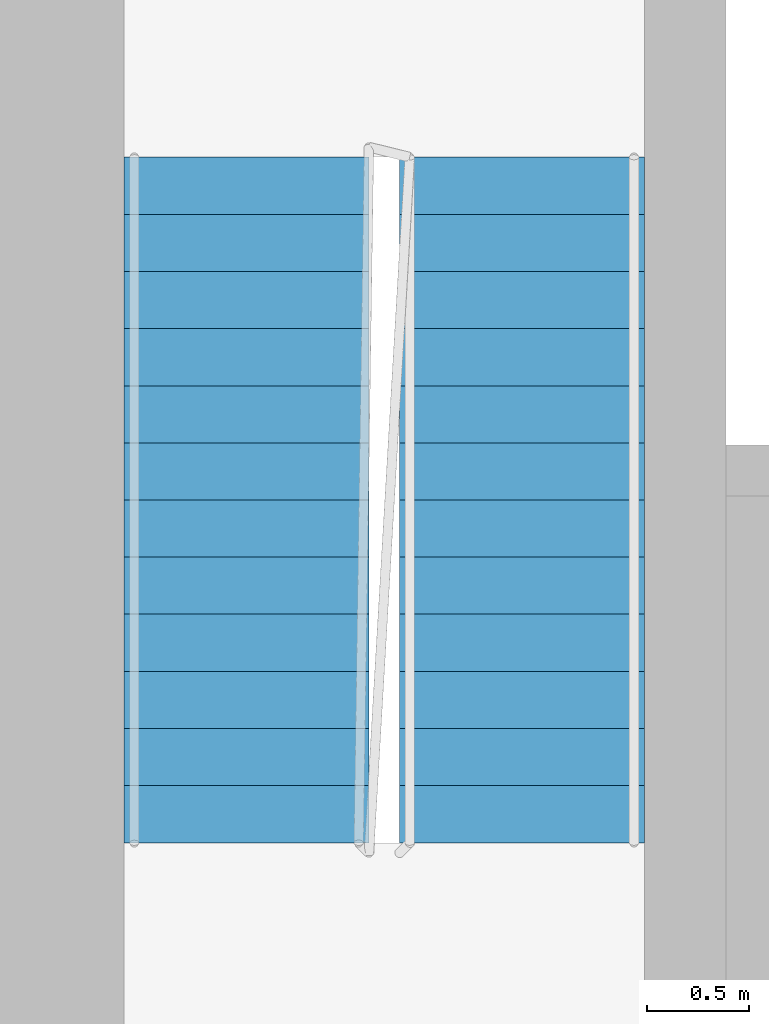
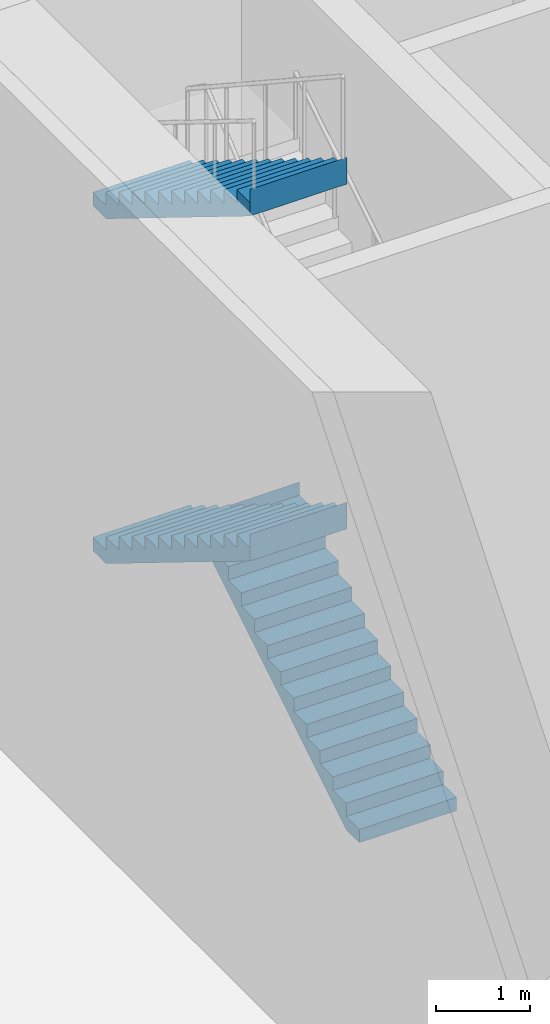
# One storey, part 17 of 24: 3 stair flights, 1 element without a shape of its own.
"""IFC4 building model written with IfcOpenShell, lengths in metres."""

from ifc_helpers import new_model, si_unit, direction, frame, origin, place, context, subcontext, project, spatial, faceted_brep, material, type_object, element, aggregate, save


model = new_model("IFC4")

# Units and contexts
model_context = context("Model", 3, precision=1e-05, world=origin(), true_north=direction((0.0, 1.0)))
body_context = subcontext(model_context, "Body", "Model", "MODEL_VIEW")
ifc_project = project(units=[si_unit("LENGTHUNIT", "METRE"), si_unit("AREAUNIT", "SQUARE_METRE"), si_unit("VOLUMEUNIT", "CUBIC_METRE"), si_unit("PLANEANGLEUNIT", "RADIAN"), si_unit("MASSUNIT", "GRAM", prefix="KILO")], contexts=[model_context])

# Site, building, storey
site_placement = place(None, origin())
site = spatial("IfcSite", under=ifc_project, at=site_placement, CompositionType="ELEMENT")
building_placement = place(site_placement, origin())
building = spatial("IfcBuilding", under=site, at=building_placement, Name="Kajstack Hotel Tower", CompositionType="ELEMENT")
storey_placement = place(building_placement, frame((0.0, 0.0, 38.0)))
storey = spatial("IfcBuildingStorey", under=building, at=storey_placement, Name="L06", CompositionType="ELEMENT", Elevation=38.0)

# Stair, stair flights
ifc_material = material(Name="Concrete C40/50", Category="concrete")
stair_type = type_object("IfcStairType", Name="Exit stair 1200", PredefinedType="HALF_TURN_STAIR", material=ifc_material)
stair_placement = place(storey_placement, origin())
stair = element("IfcStair", 1, at=stair_placement, inside=storey, type_object=stair_type, Name="L06 stair E2", PredefinedType="HALF_TURN_STAIR")
stair_flight_type = type_object("IfcStairFlightType", Name="Exit stair flight 1200", PredefinedType="STRAIGHT", material=ifc_material)
stair_flight_1_placement = place(storey_placement, frame((16.35009765625, 10.0, 0.0), z_axis=(0.0, 0.0, 1.0), x_axis=(0.0, 1.0, 0.0)))
stair_flight_1 = element("IfcStairFlight", 2, at=stair_flight_1_placement, type_object=stair_flight_type, Name="E2 flight 1", NumberOfRisers=13, NumberOfTreads=12, PredefinedType="STRAIGHT", RiserHeight=0.173076923, TreadLength=0.28, context=body_context, shape_type="Brep", body=[
    faceted_brep([(0.28564453125, -0.60009765625, 0.0), (3.360595703125, -0.60009765625, 1.900634765625), (3.360595703125, -0.60009765625, 2.25), (3.360107421875, -0.60009765625, 2.25), (3.360107421875, -0.60009765625, 2.076904296875), (3.080078125, -0.60009765625, 2.076904296875), (3.080078125, -0.60009765625, 1.90380859375), (2.800048828125, -0.60009765625, 1.90380859375), (2.800048828125, -0.60009765625, 1.730712890625), (2.52001953125, -0.60009765625, 1.730712890625), (2.52001953125, -0.60009765625, 1.5576171875), (2.239990234375, -0.60009765625, 1.5576171875), (2.239990234375, -0.60009765625, 1.384521484375), (1.9599609375, -0.60009765625, 1.384521484375), (1.9599609375, -0.60009765625, 1.21142578125), (1.679931640625, -0.60009765625, 1.21142578125), (1.679931640625, -0.60009765625, 1.03857421875), (1.39990234375, -0.60009765625, 1.03857421875), (1.39990234375, -0.60009765625, 0.865478515625), (1.1201171875, -0.60009765625, 0.865478515625), (1.1201171875, -0.60009765625, 0.6923828125), (0.840087890625, -0.60009765625, 0.6923828125), (0.840087890625, -0.60009765625, 0.519287109375), (0.56005859375, -0.60009765625, 0.519287109375), (0.56005859375, -0.60009765625, 0.34619140625), (0.280029296875, -0.60009765625, 0.34619140625), (0.280029296875, -0.60009765625, 0.173095703125), (-0.00048828125, -0.60009765625, 0.173095703125), (-0.00048828125, -0.60009765625, 0.0), (-0.00048828125, 0.60009765625, 0.0), (-0.00048828125, 0.60009765625, 0.173095703125), (0.280029296875, 0.60009765625, 0.173095703125), (0.280029296875, 0.60009765625, 0.34619140625), (0.56005859375, 0.60009765625, 0.34619140625), (0.56005859375, 0.60009765625, 0.519287109375), (0.840087890625, 0.60009765625, 0.519287109375), (0.840087890625, 0.60009765625, 0.6923828125), (1.1201171875, 0.60009765625, 0.6923828125), (1.1201171875, 0.60009765625, 0.865478515625), (1.39990234375, 0.60009765625, 0.865478515625), (1.39990234375, 0.60009765625, 1.03857421875), (1.679931640625, 0.60009765625, 1.03857421875), (1.679931640625, 0.60009765625, 1.21142578125), (1.9599609375, 0.60009765625, 1.21142578125), (1.9599609375, 0.60009765625, 1.384521484375), (2.239990234375, 0.60009765625, 1.384521484375), (2.239990234375, 0.60009765625, 1.5576171875), (2.52001953125, 0.60009765625, 1.5576171875), (2.52001953125, 0.60009765625, 1.730712890625), (2.800048828125, 0.60009765625, 1.730712890625), (2.800048828125, 0.60009765625, 1.90380859375), (3.080078125, 0.60009765625, 1.90380859375), (3.080078125, 0.60009765625, 2.076904296875), (3.360107421875, 0.60009765625, 2.076904296875), (3.360107421875, 0.60009765625, 2.25), (3.360595703125, 0.60009765625, 2.25), (3.360595703125, 0.60009765625, 1.900634765625), (0.28564453125, 0.60009765625, 0.0), (-0.00048828125, -0.300048828125, 0.173095703125), (-0.00048828125, 0.0, 0.173095703125), (-0.00048828125, 0.300048828125, 0.173095703125), (-0.00048828125, 0.300048828125, 0.0), (-0.00048828125, 0.0, 0.0), (-0.00048828125, -0.300048828125, 0.0), (0.280029296875, -0.300048828125, 0.173095703125), (0.280029296875, 0.0, 0.173095703125), (0.280029296875, 0.300048828125, 0.173095703125), (0.280029296875, -0.300048828125, 0.34619140625), (0.280029296875, 0.0, 0.34619140625), (0.280029296875, 0.300048828125, 0.34619140625), (0.56005859375, -0.300048828125, 0.34619140625), (0.56005859375, 0.0, 0.34619140625), (0.56005859375, 0.300048828125, 0.34619140625), (0.56005859375, -0.300048828125, 0.519287109375), (0.56005859375, 0.0, 0.519287109375), (0.56005859375, 0.300048828125, 0.519287109375), (0.840087890625, -0.300048828125, 0.519287109375), (0.840087890625, 0.0, 0.519287109375), (0.840087890625, 0.300048828125, 0.519287109375), (0.840087890625, -0.300048828125, 0.6923828125), (0.840087890625, 0.0, 0.6923828125), (0.840087890625, 0.300048828125, 0.6923828125), (1.1201171875, -0.300048828125, 0.6923828125), (1.1201171875, 0.0, 0.6923828125), (1.1201171875, 0.300048828125, 0.6923828125), (1.1201171875, -0.300048828125, 0.865478515625), (1.1201171875, 0.0, 0.865478515625), (1.1201171875, 0.300048828125, 0.865478515625), (1.39990234375, -0.300048828125, 0.865478515625), (1.39990234375, 0.0, 0.865478515625), (1.39990234375, 0.300048828125, 0.865478515625), (1.39990234375, -0.300048828125, 1.03857421875), (1.39990234375, 0.0, 1.03857421875), (1.39990234375, 0.300048828125, 1.03857421875), (1.679931640625, -0.300048828125, 1.03857421875), (1.679931640625, 0.0, 1.03857421875), (1.679931640625, 0.300048828125, 1.03857421875), (1.679931640625, -0.300048828125, 1.21142578125), (1.679931640625, 0.0, 1.21142578125), (1.679931640625, 0.300048828125, 1.21142578125), (1.9599609375, -0.300048828125, 1.21142578125), (1.9599609375, 0.0, 1.21142578125), (1.9599609375, 0.300048828125, 1.21142578125), (1.9599609375, -0.300048828125, 1.384521484375), (1.9599609375, 0.0, 1.384521484375), (1.9599609375, 0.300048828125, 1.384521484375), (2.239990234375, -0.300048828125, 1.384521484375), (2.239990234375, 0.0, 1.384521484375), (2.239990234375, 0.300048828125, 1.384521484375), (2.239990234375, -0.300048828125, 1.5576171875), (2.239990234375, 0.0, 1.5576171875), (2.239990234375, 0.300048828125, 1.5576171875), (2.52001953125, -0.300048828125, 1.5576171875), (2.52001953125, 0.0, 1.5576171875), (2.52001953125, 0.300048828125, 1.5576171875), (2.52001953125, -0.300048828125, 1.730712890625), (2.52001953125, 0.0, 1.730712890625), (2.52001953125, 0.300048828125, 1.730712890625), (2.800048828125, -0.300048828125, 1.730712890625), (2.800048828125, 0.0, 1.730712890625), (2.800048828125, 0.300048828125, 1.730712890625), (2.800048828125, -0.300048828125, 1.90380859375), (2.800048828125, 0.0, 1.90380859375), (2.800048828125, 0.300048828125, 1.90380859375), (3.080078125, -0.300048828125, 1.90380859375), (3.080078125, 0.0, 1.90380859375), (3.080078125, 0.300048828125, 1.90380859375), (3.080078125, -0.300048828125, 2.076904296875), (3.080078125, 0.0, 2.076904296875), (3.080078125, 0.300048828125, 2.076904296875), (3.360107421875, -0.300048828125, 2.076904296875), (3.360107421875, 0.0, 2.076904296875), (3.360107421875, 0.300048828125, 2.076904296875), (3.360107421875, -0.300048828125, 2.25), (3.360107421875, 0.0, 2.25), (3.360107421875, 0.300048828125, 2.25), (3.360595703125, -0.300048828125, 2.25), (3.360595703125, 0.0, 2.25), (3.360595703125, 0.300048828125, 2.25), (3.360595703125, -0.300048828125, 1.900634765625), (3.360595703125, 0.0, 1.900634765625), (3.360595703125, 0.300048828125, 1.900634765625), (0.28564453125, -0.300048828125, 0.0), (0.28564453125, 0.0, 0.0), (0.28564453125, 0.300048828125, 0.0)], [[[0, 1, 2, 3, 4, 5, 6, 7, 8, 9, 10, 11, 12, 13, 14, 15, 16, 17, 18, 19, 20, 21, 22, 23, 24, 25, 26, 27, 28]], [[29, 30, 31, 32, 33, 34, 35, 36, 37, 38, 39, 40, 41, 42, 43, 44, 45, 46, 47, 48, 49, 50, 51, 52, 53, 54, 55, 56, 57]], [[27, 58, 59, 60, 30, 29, 61, 62, 63, 28]], [[26, 64, 65, 66, 31, 30, 60, 59, 58, 27]], [[25, 67, 68, 69, 32, 31, 66, 65, 64, 26]], [[24, 70, 71, 72, 33, 32, 69, 68, 67, 25]], [[23, 73, 74, 75, 34, 33, 72, 71, 70, 24]], [[22, 76, 77, 78, 35, 34, 75, 74, 73, 23]], [[21, 79, 80, 81, 36, 35, 78, 77, 76, 22]], [[20, 82, 83, 84, 37, 36, 81, 80, 79, 21]], [[19, 85, 86, 87, 38, 37, 84, 83, 82, 20]], [[18, 88, 89, 90, 39, 38, 87, 86, 85, 19]], [[17, 91, 92, 93, 40, 39, 90, 89, 88, 18]], [[16, 94, 95, 96, 41, 40, 93, 92, 91, 17]], [[15, 97, 98, 99, 42, 41, 96, 95, 94, 16]], [[14, 100, 101, 102, 43, 42, 99, 98, 97, 15]], [[13, 103, 104, 105, 44, 43, 102, 101, 100, 14]], [[12, 106, 107, 108, 45, 44, 105, 104, 103, 13]], [[11, 109, 110, 111, 46, 45, 108, 107, 106, 12]], [[10, 112, 113, 114, 47, 46, 111, 110, 109, 11]], [[9, 115, 116, 117, 48, 47, 114, 113, 112, 10]], [[8, 118, 119, 120, 49, 48, 117, 116, 115, 9]], [[7, 121, 122, 123, 50, 49, 120, 119, 118, 8]], [[6, 124, 125, 126, 51, 50, 123, 122, 121, 7]], [[5, 127, 128, 129, 52, 51, 126, 125, 124, 6]], [[4, 130, 131, 132, 53, 52, 129, 128, 127, 5]], [[3, 133, 134, 135, 54, 53, 132, 131, 130, 4]], [[2, 136, 137, 138, 55, 54, 135, 134, 133, 3]], [[1, 139, 140, 141, 56, 55, 138, 137, 136, 2]], [[0, 142, 143, 144, 57, 56, 141, 140, 139, 1]], [[28, 63, 62, 61, 29, 57, 144, 143, 142, 0]]]),
])
stair_flight_2_placement = place(storey_placement, frame((15.0, 13.360107421875, 2.25), z_axis=(0.0, 0.0, 1.0), x_axis=(0.0, -1.0, 0.0)))
stair_flight_2 = element("IfcStairFlight", 3, at=stair_flight_2_placement, type_object=stair_flight_type, Name="E2 flight 2", NumberOfRisers=13, NumberOfTreads=12, PredefinedType="STRAIGHT", RiserHeight=0.173076923, TreadLength=0.28, context=body_context, shape_type="Brep", body=[
    faceted_brep([(0.28564453125, -0.60009765625, 0.0), (3.360595703125, -0.60009765625, 1.900634765625), (3.360595703125, -0.60009765625, 2.25), (3.360107421875, -0.60009765625, 2.25), (3.360107421875, -0.60009765625, 2.076904296875), (3.080078125, -0.60009765625, 2.076904296875), (3.080078125, -0.60009765625, 1.90380859375), (2.800048828125, -0.60009765625, 1.90380859375), (2.800048828125, -0.60009765625, 1.730712890625), (2.52001953125, -0.60009765625, 1.730712890625), (2.52001953125, -0.60009765625, 1.5576171875), (2.239990234375, -0.60009765625, 1.5576171875), (2.239990234375, -0.60009765625, 1.384521484375), (1.9599609375, -0.60009765625, 1.384521484375), (1.9599609375, -0.60009765625, 1.21142578125), (1.679931640625, -0.60009765625, 1.21142578125), (1.679931640625, -0.60009765625, 1.03857421875), (1.39990234375, -0.60009765625, 1.03857421875), (1.39990234375, -0.60009765625, 0.865478515625), (1.1201171875, -0.60009765625, 0.865478515625), (1.1201171875, -0.60009765625, 0.6923828125), (0.840087890625, -0.60009765625, 0.6923828125), (0.840087890625, -0.60009765625, 0.519287109375), (0.56005859375, -0.60009765625, 0.519287109375), (0.56005859375, -0.60009765625, 0.34619140625), (0.280029296875, -0.60009765625, 0.34619140625), (0.280029296875, -0.60009765625, 0.173095703125), (-0.00048828125, -0.60009765625, 0.173095703125), (-0.00048828125, -0.60009765625, 0.0), (-0.00048828125, 0.60009765625, 0.0), (-0.00048828125, 0.60009765625, 0.173095703125), (0.280029296875, 0.60009765625, 0.173095703125), (0.280029296875, 0.60009765625, 0.34619140625), (0.56005859375, 0.60009765625, 0.34619140625), (0.56005859375, 0.60009765625, 0.519287109375), (0.840087890625, 0.60009765625, 0.519287109375), (0.840087890625, 0.60009765625, 0.6923828125), (1.1201171875, 0.60009765625, 0.6923828125), (1.1201171875, 0.60009765625, 0.865478515625), (1.39990234375, 0.60009765625, 0.865478515625), (1.39990234375, 0.60009765625, 1.03857421875), (1.679931640625, 0.60009765625, 1.03857421875), (1.679931640625, 0.60009765625, 1.21142578125), (1.9599609375, 0.60009765625, 1.21142578125), (1.9599609375, 0.60009765625, 1.384521484375), (2.239990234375, 0.60009765625, 1.384521484375), (2.239990234375, 0.60009765625, 1.5576171875), (2.52001953125, 0.60009765625, 1.5576171875), (2.52001953125, 0.60009765625, 1.730712890625), (2.800048828125, 0.60009765625, 1.730712890625), (2.800048828125, 0.60009765625, 1.90380859375), (3.080078125, 0.60009765625, 1.90380859375), (3.080078125, 0.60009765625, 2.076904296875), (3.360107421875, 0.60009765625, 2.076904296875), (3.360107421875, 0.60009765625, 2.25), (3.360595703125, 0.60009765625, 2.25), (3.360595703125, 0.60009765625, 1.900634765625), (0.28564453125, 0.60009765625, 0.0), (-0.00048828125, -0.300048828125, 0.173095703125), (-0.00048828125, 0.0, 0.173095703125), (-0.00048828125, 0.300048828125, 0.173095703125), (-0.00048828125, 0.300048828125, 0.0), (-0.00048828125, 0.0, 0.0), (-0.00048828125, -0.300048828125, 0.0), (0.280029296875, -0.300048828125, 0.173095703125), (0.280029296875, 0.0, 0.173095703125), (0.280029296875, 0.300048828125, 0.173095703125), (0.280029296875, -0.300048828125, 0.34619140625), (0.280029296875, 0.0, 0.34619140625), (0.280029296875, 0.300048828125, 0.34619140625), (0.56005859375, -0.300048828125, 0.34619140625), (0.56005859375, 0.0, 0.34619140625), (0.56005859375, 0.300048828125, 0.34619140625), (0.56005859375, -0.300048828125, 0.519287109375), (0.56005859375, 0.0, 0.519287109375), (0.56005859375, 0.300048828125, 0.519287109375), (0.840087890625, -0.300048828125, 0.519287109375), (0.840087890625, 0.0, 0.519287109375), (0.840087890625, 0.300048828125, 0.519287109375), (0.840087890625, -0.300048828125, 0.6923828125), (0.840087890625, 0.0, 0.6923828125), (0.840087890625, 0.300048828125, 0.6923828125), (1.1201171875, -0.300048828125, 0.6923828125), (1.1201171875, 0.0, 0.6923828125), (1.1201171875, 0.300048828125, 0.6923828125), (1.1201171875, -0.300048828125, 0.865478515625), (1.1201171875, 0.0, 0.865478515625), (1.1201171875, 0.300048828125, 0.865478515625), (1.39990234375, -0.300048828125, 0.865478515625), (1.39990234375, 0.0, 0.865478515625), (1.39990234375, 0.300048828125, 0.865478515625), (1.39990234375, -0.300048828125, 1.03857421875), (1.39990234375, 0.0, 1.03857421875), (1.39990234375, 0.300048828125, 1.03857421875), (1.679931640625, -0.300048828125, 1.03857421875), (1.679931640625, 0.0, 1.03857421875), (1.679931640625, 0.300048828125, 1.03857421875), (1.679931640625, -0.300048828125, 1.21142578125), (1.679931640625, 0.0, 1.21142578125), (1.679931640625, 0.300048828125, 1.21142578125), (1.9599609375, -0.300048828125, 1.21142578125), (1.9599609375, 0.0, 1.21142578125), (1.9599609375, 0.300048828125, 1.21142578125), (1.9599609375, -0.300048828125, 1.384521484375), (1.9599609375, 0.0, 1.384521484375), (1.9599609375, 0.300048828125, 1.384521484375), (2.239990234375, -0.300048828125, 1.384521484375), (2.239990234375, 0.0, 1.384521484375), (2.239990234375, 0.300048828125, 1.384521484375), (2.239990234375, -0.300048828125, 1.5576171875), (2.239990234375, 0.0, 1.5576171875), (2.239990234375, 0.300048828125, 1.5576171875), (2.52001953125, -0.300048828125, 1.5576171875), (2.52001953125, 0.0, 1.5576171875), (2.52001953125, 0.300048828125, 1.5576171875), (2.52001953125, -0.300048828125, 1.730712890625), (2.52001953125, 0.0, 1.730712890625), (2.52001953125, 0.300048828125, 1.730712890625), (2.800048828125, -0.300048828125, 1.730712890625), (2.800048828125, 0.0, 1.730712890625), (2.800048828125, 0.300048828125, 1.730712890625), (2.800048828125, -0.300048828125, 1.90380859375), (2.800048828125, 0.0, 1.90380859375), (2.800048828125, 0.300048828125, 1.90380859375), (3.080078125, -0.300048828125, 1.90380859375), (3.080078125, 0.0, 1.90380859375), (3.080078125, 0.300048828125, 1.90380859375), (3.080078125, -0.300048828125, 2.076904296875), (3.080078125, 0.0, 2.076904296875), (3.080078125, 0.300048828125, 2.076904296875), (3.360107421875, -0.300048828125, 2.076904296875), (3.360107421875, 0.0, 2.076904296875), (3.360107421875, 0.300048828125, 2.076904296875), (3.360107421875, -0.300048828125, 2.25), (3.360107421875, 0.0, 2.25), (3.360107421875, 0.300048828125, 2.25), (3.360595703125, -0.300048828125, 2.25), (3.360595703125, 0.0, 2.25), (3.360595703125, 0.300048828125, 2.25), (3.360595703125, -0.300048828125, 1.900634765625), (3.360595703125, 0.0, 1.900634765625), (3.360595703125, 0.300048828125, 1.900634765625), (0.28564453125, -0.300048828125, 0.0), (0.28564453125, 0.0, 0.0), (0.28564453125, 0.300048828125, 0.0)], [[[0, 1, 2, 3, 4, 5, 6, 7, 8, 9, 10, 11, 12, 13, 14, 15, 16, 17, 18, 19, 20, 21, 22, 23, 24, 25, 26, 27, 28]], [[29, 30, 31, 32, 33, 34, 35, 36, 37, 38, 39, 40, 41, 42, 43, 44, 45, 46, 47, 48, 49, 50, 51, 52, 53, 54, 55, 56, 57]], [[27, 58, 59, 60, 30, 29, 61, 62, 63, 28]], [[26, 64, 65, 66, 31, 30, 60, 59, 58, 27]], [[25, 67, 68, 69, 32, 31, 66, 65, 64, 26]], [[24, 70, 71, 72, 33, 32, 69, 68, 67, 25]], [[23, 73, 74, 75, 34, 33, 72, 71, 70, 24]], [[22, 76, 77, 78, 35, 34, 75, 74, 73, 23]], [[21, 79, 80, 81, 36, 35, 78, 77, 76, 22]], [[20, 82, 83, 84, 37, 36, 81, 80, 79, 21]], [[19, 85, 86, 87, 38, 37, 84, 83, 82, 20]], [[18, 88, 89, 90, 39, 38, 87, 86, 85, 19]], [[17, 91, 92, 93, 40, 39, 90, 89, 88, 18]], [[16, 94, 95, 96, 41, 40, 93, 92, 91, 17]], [[15, 97, 98, 99, 42, 41, 96, 95, 94, 16]], [[14, 100, 101, 102, 43, 42, 99, 98, 97, 15]], [[13, 103, 104, 105, 44, 43, 102, 101, 100, 14]], [[12, 106, 107, 108, 45, 44, 105, 104, 103, 13]], [[11, 109, 110, 111, 46, 45, 108, 107, 106, 12]], [[10, 112, 113, 114, 47, 46, 111, 110, 109, 11]], [[9, 115, 116, 117, 48, 47, 114, 113, 112, 10]], [[8, 118, 119, 120, 49, 48, 117, 116, 115, 9]], [[7, 121, 122, 123, 50, 49, 120, 119, 118, 8]], [[6, 124, 125, 126, 51, 50, 123, 122, 121, 7]], [[5, 127, 128, 129, 52, 51, 126, 125, 124, 6]], [[4, 130, 131, 132, 53, 52, 129, 128, 127, 5]], [[3, 133, 134, 135, 54, 53, 132, 131, 130, 4]], [[2, 136, 137, 138, 55, 54, 135, 134, 133, 3]], [[1, 139, 140, 141, 56, 55, 138, 137, 136, 2]], [[0, 142, 143, 144, 57, 56, 141, 140, 139, 1]], [[28, 63, 62, 61, 29, 57, 144, 143, 142, 0]]]),
])
stair_flight_3_placement = place(storey_placement, frame((15.0, 13.360107421875, 6.75), z_axis=(0.0, 0.0, 1.0), x_axis=(0.0, -1.0, 0.0)))
stair_flight_3 = element("IfcStairFlight", 4, at=stair_flight_3_placement, type_object=stair_flight_type, Name="E2 flight 4", NumberOfRisers=13, NumberOfTreads=12, PredefinedType="STRAIGHT", RiserHeight=0.173076923, TreadLength=0.28, context=body_context, shape_type="Brep", body=[
    faceted_brep([(0.28564453125, -0.60009765625, 0.0), (3.360595703125, -0.60009765625, 1.900634765625), (3.360595703125, -0.60009765625, 2.25), (3.360107421875, -0.60009765625, 2.25), (3.360107421875, -0.60009765625, 2.076904296875), (3.080078125, -0.60009765625, 2.076904296875), (3.080078125, -0.60009765625, 1.90380859375), (2.800048828125, -0.60009765625, 1.90380859375), (2.800048828125, -0.60009765625, 1.730712890625), (2.52001953125, -0.60009765625, 1.730712890625), (2.52001953125, -0.60009765625, 1.5576171875), (2.239990234375, -0.60009765625, 1.5576171875), (2.239990234375, -0.60009765625, 1.384521484375), (1.9599609375, -0.60009765625, 1.384521484375), (1.9599609375, -0.60009765625, 1.21142578125), (1.679931640625, -0.60009765625, 1.21142578125), (1.679931640625, -0.60009765625, 1.03857421875), (1.39990234375, -0.60009765625, 1.03857421875), (1.39990234375, -0.60009765625, 0.865478515625), (1.1201171875, -0.60009765625, 0.865478515625), (1.1201171875, -0.60009765625, 0.6923828125), (0.840087890625, -0.60009765625, 0.6923828125), (0.840087890625, -0.60009765625, 0.519287109375), (0.56005859375, -0.60009765625, 0.519287109375), (0.56005859375, -0.60009765625, 0.34619140625), (0.280029296875, -0.60009765625, 0.34619140625), (0.280029296875, -0.60009765625, 0.173095703125), (-0.00048828125, -0.60009765625, 0.173095703125), (-0.00048828125, -0.60009765625, 0.0), (-0.00048828125, 0.60009765625, 0.0), (-0.00048828125, 0.60009765625, 0.173095703125), (0.280029296875, 0.60009765625, 0.173095703125), (0.280029296875, 0.60009765625, 0.34619140625), (0.56005859375, 0.60009765625, 0.34619140625), (0.56005859375, 0.60009765625, 0.519287109375), (0.840087890625, 0.60009765625, 0.519287109375), (0.840087890625, 0.60009765625, 0.6923828125), (1.1201171875, 0.60009765625, 0.6923828125), (1.1201171875, 0.60009765625, 0.865478515625), (1.39990234375, 0.60009765625, 0.865478515625), (1.39990234375, 0.60009765625, 1.03857421875), (1.679931640625, 0.60009765625, 1.03857421875), (1.679931640625, 0.60009765625, 1.21142578125), (1.9599609375, 0.60009765625, 1.21142578125), (1.9599609375, 0.60009765625, 1.384521484375), (2.239990234375, 0.60009765625, 1.384521484375), (2.239990234375, 0.60009765625, 1.5576171875), (2.52001953125, 0.60009765625, 1.5576171875), (2.52001953125, 0.60009765625, 1.730712890625), (2.800048828125, 0.60009765625, 1.730712890625), (2.800048828125, 0.60009765625, 1.90380859375), (3.080078125, 0.60009765625, 1.90380859375), (3.080078125, 0.60009765625, 2.076904296875), (3.360107421875, 0.60009765625, 2.076904296875), (3.360107421875, 0.60009765625, 2.25), (3.360595703125, 0.60009765625, 2.25), (3.360595703125, 0.60009765625, 1.900634765625), (0.28564453125, 0.60009765625, 0.0), (-0.00048828125, -0.300048828125, 0.173095703125), (-0.00048828125, 0.0, 0.173095703125), (-0.00048828125, 0.300048828125, 0.173095703125), (-0.00048828125, 0.300048828125, 0.0), (-0.00048828125, 0.0, 0.0), (-0.00048828125, -0.300048828125, 0.0), (0.280029296875, -0.300048828125, 0.173095703125), (0.280029296875, 0.0, 0.173095703125), (0.280029296875, 0.300048828125, 0.173095703125), (0.280029296875, -0.300048828125, 0.34619140625), (0.280029296875, 0.0, 0.34619140625), (0.280029296875, 0.300048828125, 0.34619140625), (0.56005859375, -0.300048828125, 0.34619140625), (0.56005859375, 0.0, 0.34619140625), (0.56005859375, 0.300048828125, 0.34619140625), (0.56005859375, -0.300048828125, 0.519287109375), (0.56005859375, 0.0, 0.519287109375), (0.56005859375, 0.300048828125, 0.519287109375), (0.840087890625, -0.300048828125, 0.519287109375), (0.840087890625, 0.0, 0.519287109375), (0.840087890625, 0.300048828125, 0.519287109375), (0.840087890625, -0.300048828125, 0.6923828125), (0.840087890625, 0.0, 0.6923828125), (0.840087890625, 0.300048828125, 0.6923828125), (1.1201171875, -0.300048828125, 0.6923828125), (1.1201171875, 0.0, 0.6923828125), (1.1201171875, 0.300048828125, 0.6923828125), (1.1201171875, -0.300048828125, 0.865478515625), (1.1201171875, 0.0, 0.865478515625), (1.1201171875, 0.300048828125, 0.865478515625), (1.39990234375, -0.300048828125, 0.865478515625), (1.39990234375, 0.0, 0.865478515625), (1.39990234375, 0.300048828125, 0.865478515625), (1.39990234375, -0.300048828125, 1.03857421875), (1.39990234375, 0.0, 1.03857421875), (1.39990234375, 0.300048828125, 1.03857421875), (1.679931640625, -0.300048828125, 1.03857421875), (1.679931640625, 0.0, 1.03857421875), (1.679931640625, 0.300048828125, 1.03857421875), (1.679931640625, -0.300048828125, 1.21142578125), (1.679931640625, 0.0, 1.21142578125), (1.679931640625, 0.300048828125, 1.21142578125), (1.9599609375, -0.300048828125, 1.21142578125), (1.9599609375, 0.0, 1.21142578125), (1.9599609375, 0.300048828125, 1.21142578125), (1.9599609375, -0.300048828125, 1.384521484375), (1.9599609375, 0.0, 1.384521484375), (1.9599609375, 0.300048828125, 1.384521484375), (2.239990234375, -0.300048828125, 1.384521484375), (2.239990234375, 0.0, 1.384521484375), (2.239990234375, 0.300048828125, 1.384521484375), (2.239990234375, -0.300048828125, 1.5576171875), (2.239990234375, 0.0, 1.5576171875), (2.239990234375, 0.300048828125, 1.5576171875), (2.52001953125, -0.300048828125, 1.5576171875), (2.52001953125, 0.0, 1.5576171875), (2.52001953125, 0.300048828125, 1.5576171875), (2.52001953125, -0.300048828125, 1.730712890625), (2.52001953125, 0.0, 1.730712890625), (2.52001953125, 0.300048828125, 1.730712890625), (2.800048828125, -0.300048828125, 1.730712890625), (2.800048828125, 0.0, 1.730712890625), (2.800048828125, 0.300048828125, 1.730712890625), (2.800048828125, -0.300048828125, 1.90380859375), (2.800048828125, 0.0, 1.90380859375), (2.800048828125, 0.300048828125, 1.90380859375), (3.080078125, -0.300048828125, 1.90380859375), (3.080078125, 0.0, 1.90380859375), (3.080078125, 0.300048828125, 1.90380859375), (3.080078125, -0.300048828125, 2.076904296875), (3.080078125, 0.0, 2.076904296875), (3.080078125, 0.300048828125, 2.076904296875), (3.360107421875, -0.300048828125, 2.076904296875), (3.360107421875, 0.0, 2.076904296875), (3.360107421875, 0.300048828125, 2.076904296875), (3.360107421875, -0.300048828125, 2.25), (3.360107421875, 0.0, 2.25), (3.360107421875, 0.300048828125, 2.25), (3.360595703125, -0.300048828125, 2.25), (3.360595703125, 0.0, 2.25), (3.360595703125, 0.300048828125, 2.25), (3.360595703125, -0.300048828125, 1.900634765625), (3.360595703125, 0.0, 1.900634765625), (3.360595703125, 0.300048828125, 1.900634765625), (0.28564453125, -0.300048828125, 0.0), (0.28564453125, 0.0, 0.0), (0.28564453125, 0.300048828125, 0.0)], [[[0, 1, 2, 3, 4, 5, 6, 7, 8, 9, 10, 11, 12, 13, 14, 15, 16, 17, 18, 19, 20, 21, 22, 23, 24, 25, 26, 27, 28]], [[29, 30, 31, 32, 33, 34, 35, 36, 37, 38, 39, 40, 41, 42, 43, 44, 45, 46, 47, 48, 49, 50, 51, 52, 53, 54, 55, 56, 57]], [[27, 58, 59, 60, 30, 29, 61, 62, 63, 28]], [[26, 64, 65, 66, 31, 30, 60, 59, 58, 27]], [[25, 67, 68, 69, 32, 31, 66, 65, 64, 26]], [[24, 70, 71, 72, 33, 32, 69, 68, 67, 25]], [[23, 73, 74, 75, 34, 33, 72, 71, 70, 24]], [[22, 76, 77, 78, 35, 34, 75, 74, 73, 23]], [[21, 79, 80, 81, 36, 35, 78, 77, 76, 22]], [[20, 82, 83, 84, 37, 36, 81, 80, 79, 21]], [[19, 85, 86, 87, 38, 37, 84, 83, 82, 20]], [[18, 88, 89, 90, 39, 38, 87, 86, 85, 19]], [[17, 91, 92, 93, 40, 39, 90, 89, 88, 18]], [[16, 94, 95, 96, 41, 40, 93, 92, 91, 17]], [[15, 97, 98, 99, 42, 41, 96, 95, 94, 16]], [[14, 100, 101, 102, 43, 42, 99, 98, 97, 15]], [[13, 103, 104, 105, 44, 43, 102, 101, 100, 14]], [[12, 106, 107, 108, 45, 44, 105, 104, 103, 13]], [[11, 109, 110, 111, 46, 45, 108, 107, 106, 12]], [[10, 112, 113, 114, 47, 46, 111, 110, 109, 11]], [[9, 115, 116, 117, 48, 47, 114, 113, 112, 10]], [[8, 118, 119, 120, 49, 48, 117, 116, 115, 9]], [[7, 121, 122, 123, 50, 49, 120, 119, 118, 8]], [[6, 124, 125, 126, 51, 50, 123, 122, 121, 7]], [[5, 127, 128, 129, 52, 51, 126, 125, 124, 6]], [[4, 130, 131, 132, 53, 52, 129, 128, 127, 5]], [[3, 133, 134, 135, 54, 53, 132, 131, 130, 4]], [[2, 136, 137, 138, 55, 54, 135, 134, 133, 3]], [[1, 139, 140, 141, 56, 55, 138, 137, 136, 2]], [[0, 142, 143, 144, 57, 56, 141, 140, 139, 1]], [[28, 63, 62, 61, 29, 57, 144, 143, 142, 0]]]),
])
aggregate(stair, [stair_flight_1, stair_flight_2, stair_flight_3])

save(model, "model.ifc")
